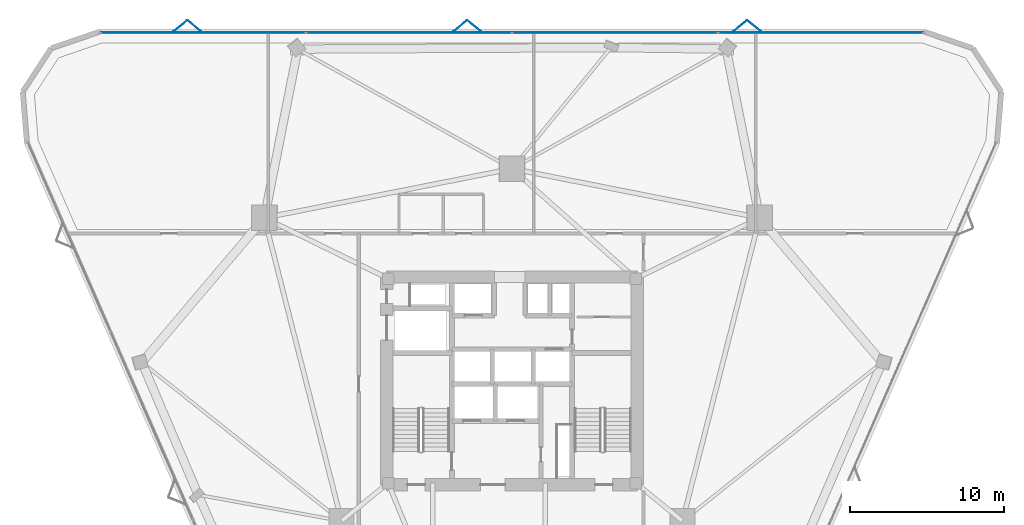
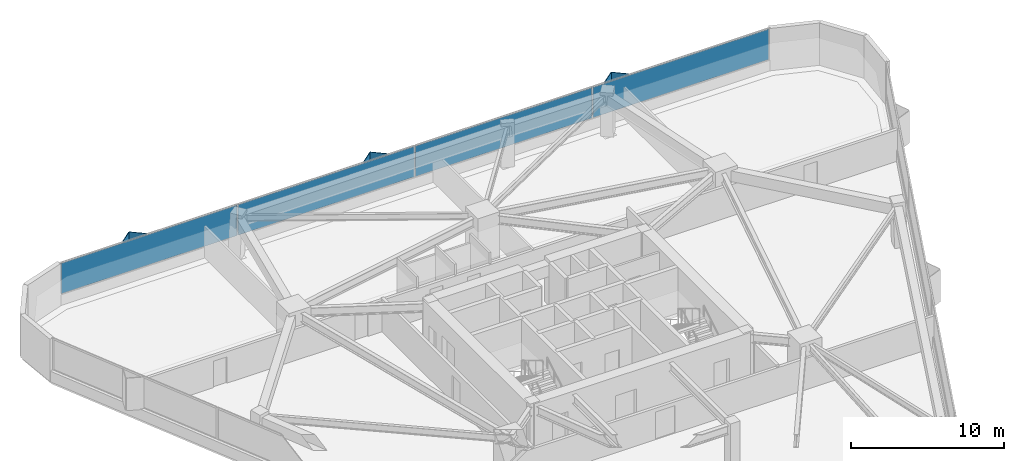
# One storey, part 14 of 20: 10 plates, 1 element without a shape of its own.
"""IFC4 building model written with IfcOpenShell, lengths in metres."""

from ifc_helpers import new_model, si_unit, direction, frame, origin, origin_2d, place, context, subcontext, project, spatial, rectangle, extrude, material, layer, layer_set, type_object, element, aggregate, save


model = new_model("IFC4")

# Units and contexts
model_context = context("Model", 3, precision=1e-05, world=origin(), true_north=direction((0.0, 1.0)))
body_context = subcontext(model_context, "Body", "Model", "MODEL_VIEW")
ifc_project = project(units=[si_unit("LENGTHUNIT", "METRE"), si_unit("AREAUNIT", "SQUARE_METRE"), si_unit("VOLUMEUNIT", "CUBIC_METRE"), si_unit("PLANEANGLEUNIT", "RADIAN"), si_unit("MASSUNIT", "GRAM", prefix="KILO")], contexts=[model_context])

# Site, building, storey
site_placement = place(None, origin())
site = spatial("IfcSite", under=ifc_project, at=site_placement, CompositionType="ELEMENT")
building_placement = place(site_placement, origin())
building = spatial("IfcBuilding", under=site, at=building_placement, Name="Talyreon Biosciences Tower", CompositionType="ELEMENT")
storey_placement = place(building_placement, frame((0.0, 0.0, 78.64990234375)))
storey = spatial("IfcBuildingStorey", under=building, at=storey_placement, Name="L20", CompositionType="ELEMENT", Elevation=78.64990234375)

# Curtain wall, plates
ifc_material_1 = material(Name="Thermally broken aluminium and low-E glazing", Category="aluminium")
ifc_layer_1 = layer(ifc_material_1, 0.18994140625)
ifc_layer_set_1 = layer_set([ifc_layer_1], Name="Thermally broken aluminium and low-E glazing")
curtain_wall_type = type_object("IfcCurtainWallType", Name="CurtainWall_Zone2Genomics", PredefinedType="NOTDEFINED", material=ifc_layer_set_1)
curtain_wall_placement = place(storey_placement, origin())
curtain_wall = element("IfcCurtainWall", 1, at=curtain_wall_placement, inside=storey, type_object=curtain_wall_type, Name="L20 Unitised Curtain Wall FCW-L20-04", PredefinedType="NOTDEFINED")
ifc_material_2 = material(Name="Triple-silver low-E insulated glazing", Category="glass")
ifc_layer_2 = layer(ifc_material_2, 0.031982421875)
ifc_layer_set_2 = layer_set([ifc_layer_2], Name="Triple-silver low-E insulated glazing")
plate_type_1 = type_object("IfcPlateType", Name="CWGlazingPanel_32", PredefinedType="CURTAIN_PANEL", material=ifc_layer_set_2)
plate_1_placement = place(storey_placement, frame((45.927734375, 90.64013671875, 0.875), z_axis=(0.0, 0.0, 1.0), x_axis=(1.0, 0.0, 0.0)))
plate_1 = element("IfcPlate", 2, at=plate_1_placement, type_object=plate_type_1, Name="CW3 panel 1.1", PredefinedType="CURTAIN_PANEL", context=body_context, shape_type="SweptSolid", body=[
    extrude(rectangle(XDim=13.294921875, YDim=0.031982421875, at=origin_2d()), origin(), (0.0, 0.0, 1.0), 2.43505859375),
])
plate_2_placement = place(storey_placement, frame((59.303955078125, 90.64013671875, 0.875), z_axis=(0.0, 0.0, 1.0), x_axis=(1.0, 0.0, 0.0)))
plate_2 = element("IfcPlate", 3, at=plate_2_placement, type_object=plate_type_1, Name="CW3 panel 2.1", PredefinedType="CURTAIN_PANEL", context=body_context, shape_type="SweptSolid", body=[
    extrude(rectangle(XDim=13.327392578125, YDim=0.031982421875, at=origin_2d()), origin(), (0.0, 0.0, 1.0), 2.43505859375),
])
plate_3_placement = place(storey_placement, frame((72.696044921875, 90.64013671875, 0.875), z_axis=(0.0, 0.0, 1.0), x_axis=(1.0, 0.0, 0.0)))
plate_3 = element("IfcPlate", 4, at=plate_3_placement, type_object=plate_type_1, Name="CW3 panel 3.1", PredefinedType="CURTAIN_PANEL", context=body_context, shape_type="SweptSolid", body=[
    extrude(rectangle(XDim=13.327392578125, YDim=0.031982421875, at=origin_2d()), origin(), (0.0, 0.0, 1.0), 2.43505859375),
])
plate_4_placement = place(storey_placement, frame((86.072265625, 90.64013671875, 0.875), z_axis=(0.0, 0.0, 1.0), x_axis=(1.0, 0.0, 0.0)))
plate_4 = element("IfcPlate", 5, at=plate_4_placement, type_object=plate_type_1, Name="CW3 panel 4.1", PredefinedType="CURTAIN_PANEL", context=body_context, shape_type="SweptSolid", body=[
    extrude(rectangle(XDim=13.294921875, YDim=0.031982421875, at=origin_2d()), origin(), (0.0, 0.0, 1.0), 2.43505859375),
])
aggregate(curtain_wall, [plate_1, plate_2, plate_3, plate_4])

# Plates
ifc_material_3 = material(Name="Ivory GFRC sunshade panel", Category="concrete")
ifc_layer_3 = layer(ifc_material_3, 0.044921875)
ifc_layer_set_3 = layer_set([ifc_layer_3], Name="Ivory GFRC sunshade panel")
plate_type_2 = type_object("IfcPlateType", Name="FoldedVSunshade_NorthFace_SUNSHADE", PredefinedType="USERDEFINED", material=ifc_layer_set_3)
for number, where, z_axis, x_axis, name in (
    (6, (44.435302734375, 91.080078125, 0.7900390625), (0.0, 0.0, 1.0), (0.771624583388, 0.636078220278, 0.0), "L20 Folded V-Sunshade Panel 04.01L"),
    (7, (45.33544921875, 91.080078125, 0.7900390625), (0.0, 0.0, 1.0), (0.771624583388, -0.636078220278, 0.0), "L20 Folded V-Sunshade Panel 04.01R"),
    (8, (62.635498046875, 91.080078125, 0.7900390625), (0.0, 0.0, 1.0), (0.771624583388, 0.636078220278, 0.0), "L20 Folded V-Sunshade Panel 04.02L"),
    (9, (63.535400390625, 91.080078125, 0.7900390625), (0.0, 0.0, 1.0), (0.771624583388, -0.636078220278, 0.0), "L20 Folded V-Sunshade Panel 04.02R"),
    (10, (80.83544921875, 91.080078125, 0.7900390625), (0.0, 0.0, 1.0), (0.771624583388, 0.636078220278, 0.0), "L20 Folded V-Sunshade Panel 04.03L"),
    (11, (81.7353515625, 91.080078125, 0.7900390625), (0.0, 0.0, 1.0), (0.771624583388, -0.636078220278, 0.0), "L20 Folded V-Sunshade Panel 04.03R"),
):
    element("IfcPlate", number, at=place(storey_placement, frame(where, z_axis=z_axis, x_axis=x_axis)), inside=storey, type_object=plate_type_2, Name=name, ObjectType="SUNSHADE", PredefinedType="USERDEFINED", context=body_context, shape_type="SweptSolid", body=[
        extrude(rectangle(XDim=1.14990234375, YDim=0.044921875, at=origin_2d()), origin(), (0.0, 0.0, 1.0), 2.5849609375),
    ])

save(model, "model.ifc")
